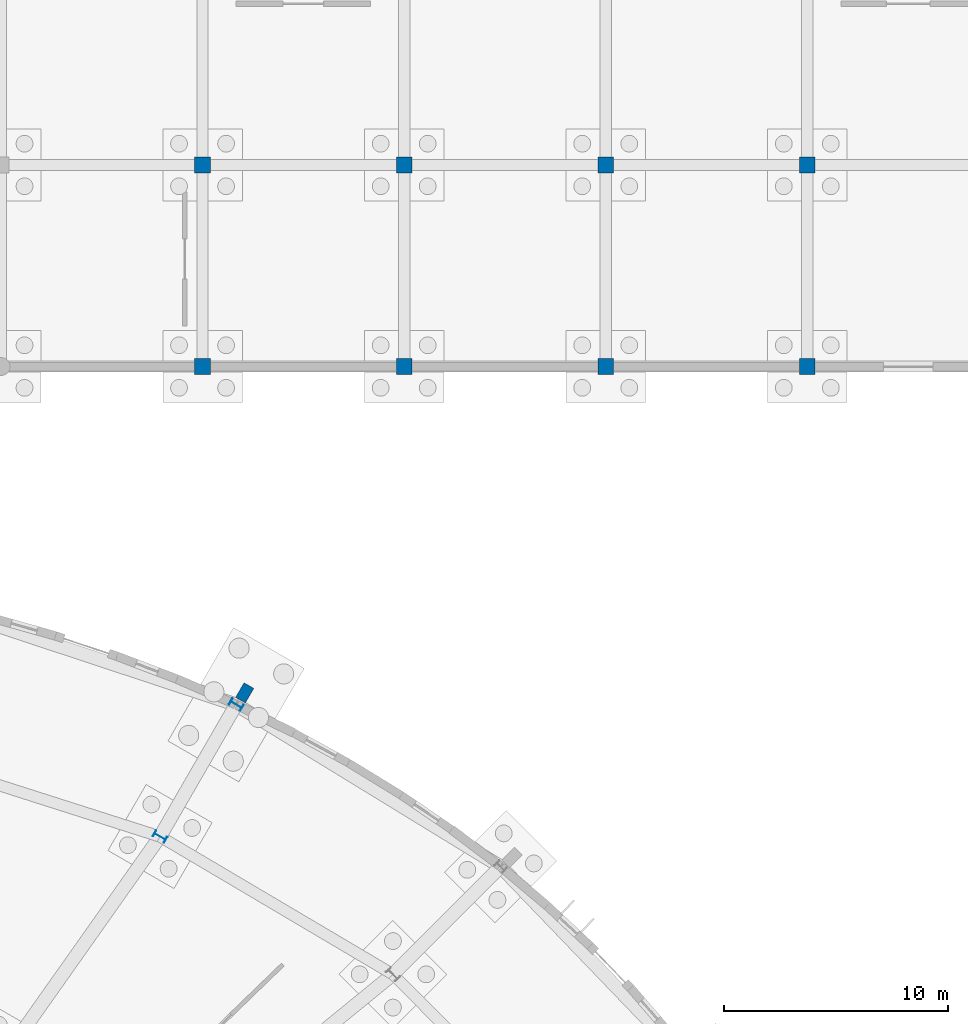
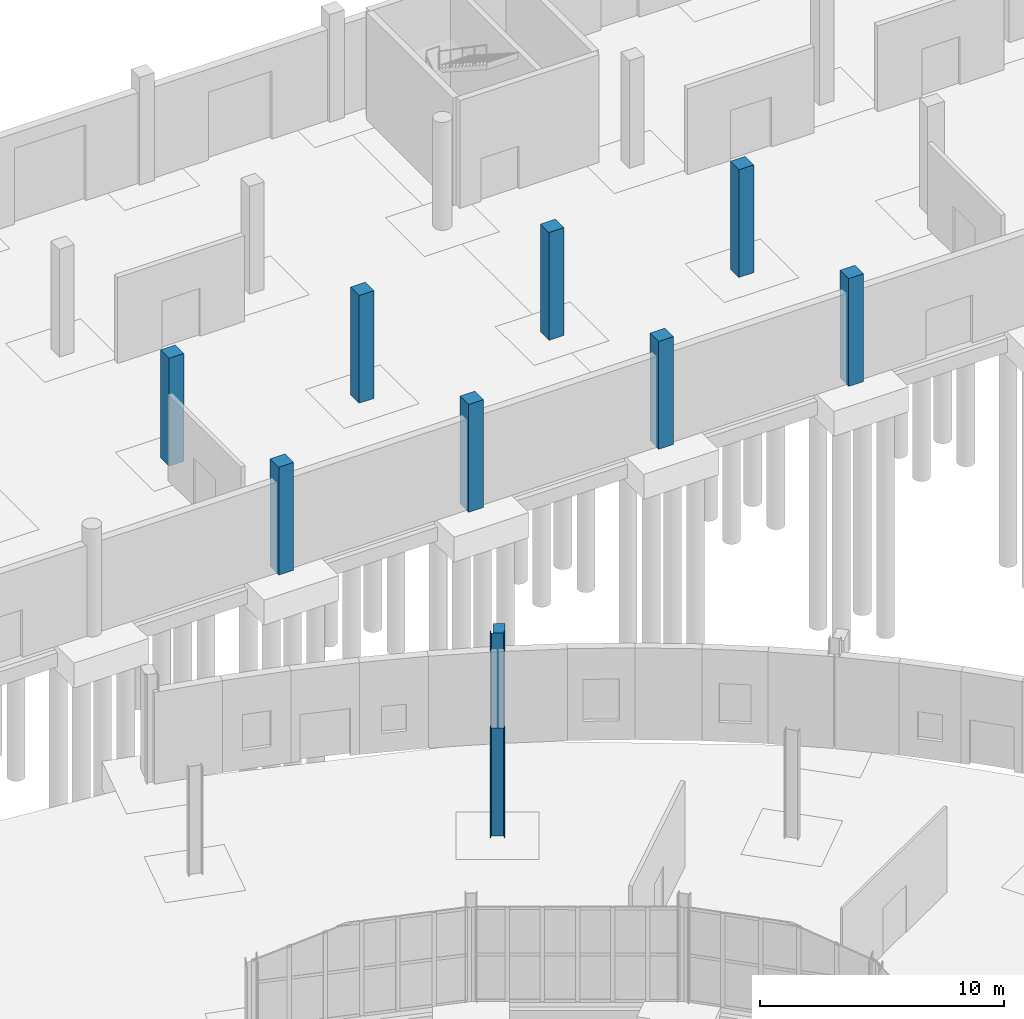
# One storey, part 48 of 118: 11 columns.
"""IFC4 building model written with IfcOpenShell, lengths in metres."""

from ifc_helpers import new_model, si_unit, direction, frame, origin, origin_2d, place, context, subcontext, project, spatial, rectangle, i_section, extrude, material, material_profile, profile_set, type_object, element, save


model = new_model("IFC4")

# Units and contexts
model_context = context("Model", 3, precision=1e-05, world=origin(), true_north=direction((0.0, 1.0)))
body_context = subcontext(model_context, "Body", "Model", "MODEL_VIEW")
ifc_project = project(units=[si_unit("LENGTHUNIT", "METRE"), si_unit("AREAUNIT", "SQUARE_METRE"), si_unit("VOLUMEUNIT", "CUBIC_METRE"), si_unit("PLANEANGLEUNIT", "RADIAN"), si_unit("MASSUNIT", "GRAM", prefix="KILO")], contexts=[model_context])

# Site, building, storey
site_placement = place(None, origin())
site = spatial("IfcSite", under=ifc_project, at=site_placement, CompositionType="ELEMENT")
building_placement = place(site_placement, origin())
building = spatial("IfcBuilding", under=site, at=building_placement, Name="Kildeholm Park Wholesale Market", CompositionType="ELEMENT")
storey_placement = place(building_placement, origin())
storey = spatial("IfcBuildingStorey", under=building, at=storey_placement, Name="L00", CompositionType="ELEMENT", Elevation=0.0)

# Columns
ifc_material_1 = material(Name="Concrete C40/50", Category="concrete")
ifc_material_profile_1 = material_profile(ifc_material_1, rectangle(XDim=0.699951171875, YDim=0.699951171875, at=origin_2d()), Name="RC 700x700")
ifc_profile_set_1 = profile_set([ifc_material_profile_1], Name="Concrete C40/50")
column_type_1 = type_object("IfcColumnType", Name="Column C-R03 RC 700x700", PredefinedType="COLUMN", material=ifc_profile_set_1)
for number, where, z_axis, x_axis, name in (
    (1, (126.0, 144.0, 0.0), (0.0, 0.0, 1.0), (1.0, 0.0, 0.0), "Column V4-126-144 L00 COL-0563"),
    (2, (126.0, 153.0, 0.0), (0.0, 0.0, 1.0), (1.0, 0.0, 0.0), "Column V4-126-153 L00 COL-0565"),
    (3, (135.0, 144.0, 0.0), (0.0, 0.0, 1.0), (1.0, 0.0, 0.0), "Column V4-135-144 L00 COL-0574"),
    (4, (135.0, 153.0, 0.0), (0.0, 0.0, 1.0), (1.0, 0.0, 0.0), "Column V4-135-153 L00 COL-0576"),
    (5, (144.0, 144.0, 0.0), (0.0, 0.0, 1.0), (1.0, 0.0, 0.0), "Column V4-144-144 L00 COL-0585"),
    (6, (144.0, 153.0, 0.0), (0.0, 0.0, 1.0), (1.0, 0.0, 0.0), "Column V4-144-153 L00 COL-0587"),
    (7, (153.0, 144.0, 0.0), (0.0, 0.0, 1.0), (1.0, 0.0, 0.0), "Column V4-153-144 L00 COL-0596"),
    (8, (153.0, 153.0, 0.0), (0.0, 0.0, 1.0), (1.0, 0.0, 0.0), "Column V4-153-153 L00 COL-0598"),
):
    element("IfcColumn", number, at=place(storey_placement, frame(where, z_axis=z_axis, x_axis=x_axis)), inside=storey, type_object=column_type_1, Name=name, PredefinedType="COLUMN", context=body_context, shape_type="SweptSolid", body=[
        extrude(rectangle(XDim=0.699951171875, YDim=0.699951171875, at=origin_2d()), origin(), (0.0, 0.0, 1.0), 5.39990234375),
    ])
ifc_material_2 = material(Name="Steel S355", Category="steel")
ifc_material_profile_2 = material_profile(ifc_material_2, i_section(OverallWidth=0.300048828125, OverallDepth=0.60009765625, WebThickness=0.015380859375, FlangeThickness=0.030029296875, FilletRadius=0.027099609375, at=origin_2d()), Name="HEB 600")
ifc_profile_set_2 = profile_set([ifc_material_profile_2], Name="Steel S355")
column_type_2 = type_object("IfcColumnType", Name="Column C-S08 HEB 600", PredefinedType="COLUMN", material=ifc_profile_set_2)
for number, where, z_axis, x_axis, name in (
    (9, (124.10009765625, 123.014892578125, 0.0), (0.0, 0.0, 1.0), (0.5, 0.866025403784, 0.0), "Column V1-MD-04 L00 COL-0040"),
    (10, (127.5, 128.904052734375, 0.0), (0.0, 0.0, 1.0), (0.5, 0.866025403784, 0.0), "Column V1-OT-04 L00 COL-0043"),
):
    element("IfcColumn", number, at=place(storey_placement, frame(where, z_axis=z_axis, x_axis=x_axis)), inside=storey, type_object=column_type_2, Name=name, PredefinedType="COLUMN", context=body_context, shape_type="SweptSolid", body=[
        extrude(i_section(OverallWidth=0.300048828125, OverallDepth=0.60009765625, WebThickness=0.015380859375, FlangeThickness=0.030029296875, FilletRadius=0.027099609375, at=origin_2d()), origin(), (0.0, 0.0, 1.0), 5.39990234375),
    ])
ifc_material_3 = material(Name="Precast concrete C40/50", Category="concrete")
ifc_material_profile_3 = material_profile(ifc_material_3, rectangle(XDim=0.75, YDim=0.5, at=origin_2d()), Name="PIL 750x500")
ifc_profile_set_3 = profile_set([ifc_material_profile_3], Name="Precast concrete C40/50")
column_type_3 = type_object("IfcColumnType", Name="Column PL-M02 PIL 750x500", PredefinedType="PILASTER", material=ifc_profile_set_3)
column_placement = place(storey_placement, frame((127.881103515625, 129.430908203125, 0.0), z_axis=(0.0, 0.0, 1.0), x_axis=(0.5, 0.866025403784, 0.0)))
element("IfcColumn", 11, at=column_placement, inside=storey, type_object=column_type_3, Name="Market ring pilaster 5 COL-0045", PredefinedType="PILASTER", context=body_context, shape_type="SweptSolid", body=[
    extrude(rectangle(XDim=0.75, YDim=0.5, at=origin_2d()), origin(), (0.0, 0.0, 1.0), 5.14990234375),
])

save(model, "model.ifc")
